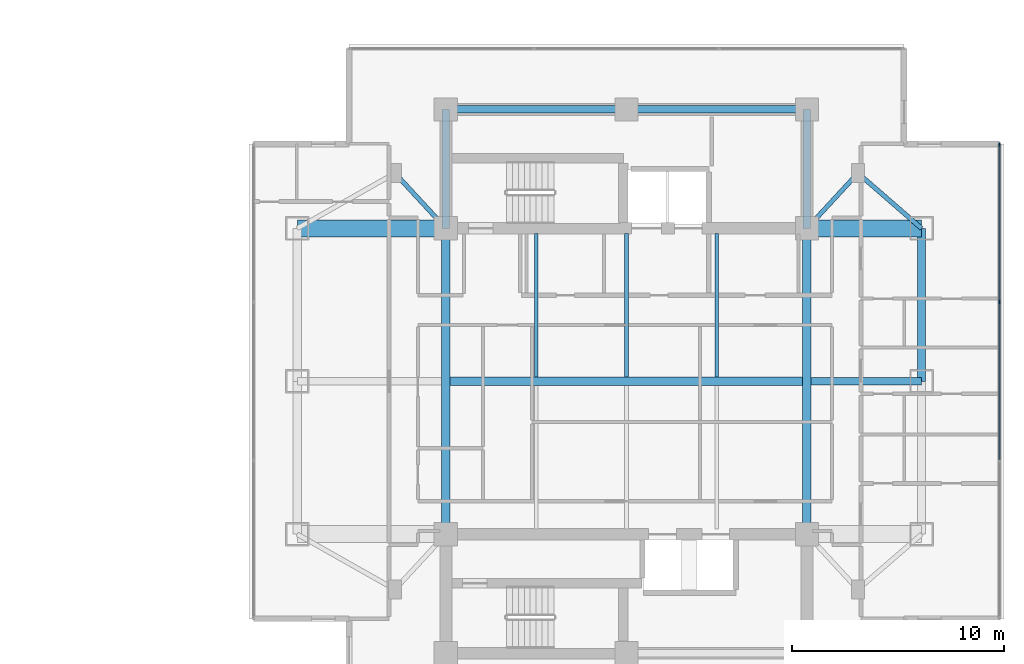
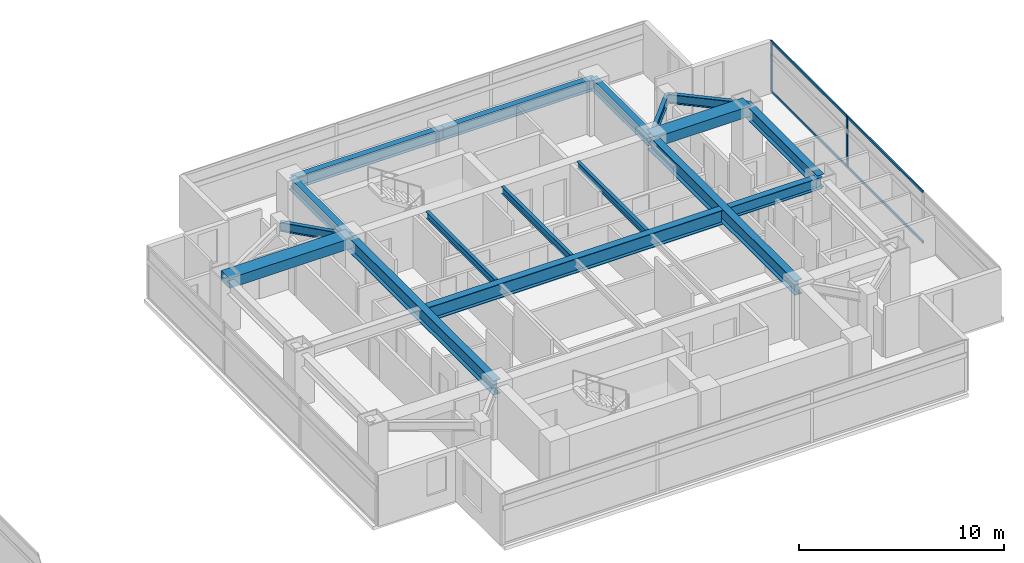
# One storey, part 11 of 26: 17 beams, 6 members, 1 element without a shape of its own.
"""IFC4 building model written with IfcOpenShell, lengths in metres."""

from ifc_helpers import new_model, si_unit, direction, frame, origin, origin_2d, place, context, subcontext, project, spatial, rectangle, i_section, extrude, material, material_profile, profile_set, type_object, element, aggregate, save


model = new_model("IFC4")

# Units and contexts
model_context = context("Model", 3, precision=1e-05, world=origin(), true_north=direction((0.0, 1.0)))
body_context = subcontext(model_context, "Body", "Model", "MODEL_VIEW")
ifc_project = project(units=[si_unit("LENGTHUNIT", "METRE"), si_unit("AREAUNIT", "SQUARE_METRE"), si_unit("VOLUMEUNIT", "CUBIC_METRE"), si_unit("PLANEANGLEUNIT", "RADIAN"), si_unit("MASSUNIT", "GRAM", prefix="KILO")], contexts=[model_context])

# Site, building, storey
site_placement = place(None, origin())
site = spatial("IfcSite", under=ifc_project, at=site_placement, CompositionType="ELEMENT")
building_placement = place(site_placement, origin())
building = spatial("IfcBuilding", under=site, at=building_placement, Name="Mirazonda Arch Towers", CompositionType="ELEMENT")
storey_placement = place(building_placement, frame((0.0, 0.0, 128.0)))
storey = spatial("IfcBuildingStorey", under=building, at=storey_placement, Name="L36", CompositionType="ELEMENT", Elevation=128.0)

# Beams
ifc_material_1 = material(Name="Steel ASTM A992 Grade 50", Category="steel")
ifc_material_profile_1 = material_profile(ifc_material_1, i_section(OverallWidth=0.381103515625, OverallDepth=0.77294921875, WebThickness=0.0166015625, FlangeThickness=0.027099609375, at=origin_2d()), Name="W30X173")
ifc_profile_set_1 = profile_set([ifc_material_profile_1], Name="Steel ASTM A992 Grade 50")
beam_type_1 = type_object("IfcBeamType", Name="BM-EXT-W30X173", PredefinedType="USERDEFINED", material=ifc_profile_set_1)
beam_1_placement = place(storey_placement, frame((90.39990234375, 28.0, 2.693603515625), z_axis=(0.0, 1.0, 0.0), x_axis=(-1.0, 0.0, 0.0)))
element("IfcBeam", 1, at=beam_1_placement, inside=storey, type_object=beam_type_1, Name="L36 Floor Beam BM-T2-L36-NS-E-28", ObjectType="GIRDER", PredefinedType="USERDEFINED", context=body_context, shape_type="SweptSolid", body=[
    extrude(i_section(OverallWidth=0.381103515625, OverallDepth=0.77294921875, WebThickness=0.0166015625, FlangeThickness=0.027099609375, at=origin_2d()), origin(), (0.0, 0.0, 1.0), 7.199951171875),
])
ifc_material_profile_2 = material_profile(ifc_material_1, i_section(OverallWidth=0.180908203125, OverallDepth=0.4169921875, WebThickness=0.010986328125, FlangeThickness=0.018310546875, at=origin_2d()), Name="W16X57")
ifc_profile_set_2 = profile_set([ifc_material_profile_2], Name="Steel ASTM A992 Grade 50")
beam_type_2 = type_object("IfcBeamType", Name="BM-INT-W16X57", PredefinedType="JOIST", material=ifc_profile_set_2)
for number, where, z_axis, x_axis, name in (
    (2, (72.25, 28.196044921875, 2.87158203125), (0.0, 1.0, 0.0), (-1.0, 0.0, 0.0), "L36 Floor Beam BM-T2-L36-J-722-28"),
    (3, (76.5, 28.196044921875, 2.87158203125), (0.0, 1.0, 0.0), (-1.0, 0.0, 0.0), "L36 Floor Beam BM-T2-L36-J-765-28"),
    (4, (80.75, 28.196044921875, 2.87158203125), (0.0, 1.0, 0.0), (-1.0, 0.0, 0.0), "L36 Floor Beam BM-T2-L36-J-807-28"),
):
    element("IfcBeam", number, at=place(storey_placement, frame(where, z_axis=z_axis, x_axis=x_axis)), inside=storey, type_object=beam_type_2, Name=name, PredefinedType="JOIST", context=body_context, shape_type="SweptSolid", body=[
        extrude(i_section(OverallWidth=0.180908203125, OverallDepth=0.4169921875, WebThickness=0.010986328125, FlangeThickness=0.018310546875, at=origin_2d()), origin(), (0.0, 0.0, 1.0), 6.763916015625),
    ])
ifc_material_profile_3 = material_profile(ifc_material_1, i_section(OverallWidth=0.214111328125, OverallDepth=0.549072265625, WebThickness=0.0146484375, FlangeThickness=0.023681640625, at=origin_2d()), Name="W21X93")
ifc_profile_set_3 = profile_set([ifc_material_profile_3], Name="Steel ASTM A992 Grade 50")
beam_type_3 = type_object("IfcBeamType", Name="BM-INT-W21X93", PredefinedType="BEAM", material=ifc_profile_set_3)
for number, where, z_axis, x_axis, name in (
    (5, (65.60009765625, 37.800048828125, 2.805419921875), (0.678251444854, -0.734829897019, 0.0), (0.734829897019, 0.678251444854, 0.0), "L36 Floor Beam BM-T2-L36-PL-NW1"),
    (6, (87.39990234375, 37.800048828125, 2.805419921875), (-0.678251444854, -0.734829897019, 0.0), (0.734829897019, -0.678251444854, 0.0), "L36 Floor Beam BM-T2-L36-PL-NE1"),
):
    element("IfcBeam", number, at=place(storey_placement, frame(where, z_axis=z_axis, x_axis=x_axis)), inside=storey, type_object=beam_type_3, Name=name, PredefinedType="BEAM", context=body_context, shape_type="SweptSolid", body=[
        extrude(i_section(OverallWidth=0.214111328125, OverallDepth=0.549072265625, WebThickness=0.0146484375, FlangeThickness=0.023681640625, at=origin_2d()), origin(), (0.0, 0.0, 1.0), 3.538330078125),
    ])
beam_2_placement = place(storey_placement, frame((87.39990234375, 37.800048828125, 2.805419921875), z_axis=(0.755676908098, -0.654944585876, 0.0), x_axis=(0.654944585876, 0.755676908098, 0.0)))
element("IfcBeam", 7, at=beam_2_placement, inside=storey, type_object=beam_type_3, Name="L36 Floor Beam BM-T2-L36-PL-NE2", PredefinedType="BEAM", context=body_context, shape_type="SweptSolid", body=[
    extrude(i_section(OverallWidth=0.214111328125, OverallDepth=0.549072265625, WebThickness=0.0146484375, FlangeThickness=0.023681640625, at=origin_2d()), origin(), (0.0, 0.0, 1.0), 3.969970703125),
])
ifc_material_profile_4 = material_profile(ifc_material_1, i_section(OverallWidth=0.35498046875, OverallDepth=0.696044921875, WebThickness=0.015380859375, FlangeThickness=0.02490234375, at=origin_2d()), Name="W27X146")
ifc_profile_set_4 = profile_set([ifc_material_profile_4], Name="Steel ASTM A992 Grade 50")
beam_type_4 = type_object("IfcBeamType", Name="BM-INT-W27X146", PredefinedType="BEAM", material=ifc_profile_set_4)
for number, where, z_axis, x_axis, name in (
    (8, (68.0, 40.800048828125, 2.73193359375), (1.0, 0.0, 0.0), (0.0, 1.0, 0.0), "L36 Floor Beam BM-T2-L36-CN1"),
    (9, (76.5, 40.800048828125, 2.73193359375), (1.0, 0.0, 0.0), (0.0, 1.0, 0.0), "L36 Floor Beam BM-T2-L36-CN2"),
):
    element("IfcBeam", number, at=place(storey_placement, frame(where, z_axis=z_axis, x_axis=x_axis)), inside=storey, type_object=beam_type_4, Name=name, PredefinedType="BEAM", context=body_context, shape_type="SweptSolid", body=[
        extrude(i_section(OverallWidth=0.35498046875, OverallDepth=0.696044921875, WebThickness=0.015380859375, FlangeThickness=0.02490234375, at=origin_2d()), origin(), (0.0, 0.0, 1.0), 8.5),
    ])
for number, where, z_axis, x_axis, name in (
    (10, (68.0, 35.199951171875, 2.73193359375), (0.0, 1.0, 0.0), (-1.0, 0.0, 0.0), "L36 Floor Beam BM-T2-L36-CNW"),
    (11, (85.0, 35.199951171875, 2.73193359375), (0.0, 1.0, 0.0), (-1.0, 0.0, 0.0), "L36 Floor Beam BM-T2-L36-CNE"),
):
    element("IfcBeam", number, at=place(storey_placement, frame(where, z_axis=z_axis, x_axis=x_axis)), inside=storey, type_object=beam_type_4, Name=name, PredefinedType="BEAM", context=body_context, shape_type="SweptSolid", body=[
        extrude(i_section(OverallWidth=0.35498046875, OverallDepth=0.696044921875, WebThickness=0.015380859375, FlangeThickness=0.02490234375, at=origin_2d()), origin(), (0.0, 0.0, 1.0), 5.60009765625),
    ])
beam_3_placement = place(storey_placement, frame((85.199951171875, 28.0, 2.73193359375), z_axis=(1.0, 0.0, 0.0), x_axis=(0.0, 1.0, 0.0)))
element("IfcBeam", 12, at=beam_3_placement, inside=storey, type_object=beam_type_4, Name="L36 Floor Beam BM-T2-L36-GE2", PredefinedType="BEAM", context=body_context, shape_type="SweptSolid", body=[
    extrude(i_section(OverallWidth=0.35498046875, OverallDepth=0.696044921875, WebThickness=0.015380859375, FlangeThickness=0.02490234375, at=origin_2d()), origin(), (0.0, 0.0, 1.0), 5.199951171875),
])
ifc_material_profile_5 = material_profile(ifc_material_1, i_section(OverallWidth=0.39990234375, OverallDepth=0.85595703125, WebThickness=0.018310546875, FlangeThickness=0.029296875, at=origin_2d()), Name="W33X201")
ifc_profile_set_5 = profile_set([ifc_material_profile_5], Name="Steel ASTM A992 Grade 50")
beam_type_5 = type_object("IfcBeamType", Name="BM-INT-W33X201", PredefinedType="USERDEFINED", material=ifc_profile_set_5)
beam_4_placement = place(storey_placement, frame((68.199951171875, 28.0, 2.652099609375), z_axis=(1.0, 0.0, 0.0), x_axis=(0.0, 1.0, 0.0)))
element("IfcBeam", 13, at=beam_4_placement, inside=storey, type_object=beam_type_5, Name="L36 Floor Beam BM-T2-L36-GC2", ObjectType="GIRDER", PredefinedType="USERDEFINED", context=body_context, shape_type="SweptSolid", body=[
    extrude(i_section(OverallWidth=0.39990234375, OverallDepth=0.85595703125, WebThickness=0.018310546875, FlangeThickness=0.029296875, at=origin_2d()), origin(), (0.0, 0.0, 1.0), 16.60009765625),
])
for number, where, z_axis, x_axis, name in (
    (14, (68.0, 20.800048828125, 2.652099609375), (0.0, 1.0, 0.0), (-1.0, 0.0, 0.0), "L36 Floor Beam BM-T2-L36-NS-CW-FULL"),
    (15, (85.0, 20.800048828125, 2.652099609375), (0.0, 1.0, 0.0), (-1.0, 0.0, 0.0), "L36 Floor Beam BM-T2-L36-NS-CE-FULL"),
):
    element("IfcBeam", number, at=place(storey_placement, frame(where, z_axis=z_axis, x_axis=x_axis)), inside=storey, type_object=beam_type_5, Name=name, ObjectType="GIRDER", PredefinedType="USERDEFINED", context=body_context, shape_type="SweptSolid", body=[
        extrude(i_section(OverallWidth=0.39990234375, OverallDepth=0.85595703125, WebThickness=0.018310546875, FlangeThickness=0.029296875, at=origin_2d()), origin(), (0.0, 0.0, 1.0), 14.39990234375),
    ])
ifc_material_2 = material(Name="Concrete C60/75", Category="concrete")
ifc_material_profile_6 = material_profile(ifc_material_2, rectangle(XDim=0.800048828125, YDim=0.60009765625, at=origin_2d()), Name="RCCB800x600")
ifc_profile_set_6 = profile_set([ifc_material_profile_6], Name="Concrete C60/75")
beam_type_6 = type_object("IfcBeamType", Name="CB-INT-RCCB800x600", PredefinedType="SPANDREL", material=ifc_profile_set_6)
beam_5_placement = place(storey_placement, frame((61.0, 35.199951171875, 2.780029296875), z_axis=(1.0, 0.0, 0.0), x_axis=(0.0, 1.0, 0.0)))
element("IfcBeam", 16, at=beam_5_placement, inside=storey, type_object=beam_type_6, Name="L36 Floor Beam CBC-T2-L36-NW", PredefinedType="SPANDREL", context=body_context, shape_type="SweptSolid", body=[
    extrude(rectangle(XDim=0.800048828125, YDim=0.60009765625, at=origin_2d()), origin(), (0.0, 0.0, 1.0), 7.0),
])
beam_6_placement = place(storey_placement, frame((85.0, 35.199951171875, 2.780029296875), z_axis=(1.0, 0.0, 0.0), x_axis=(0.0, 1.0, 0.0)))
element("IfcBeam", 17, at=beam_6_placement, inside=storey, type_object=beam_type_6, Name="L36 Floor Beam CBC-T2-L36-NE", PredefinedType="SPANDREL", context=body_context, shape_type="SweptSolid", body=[
    extrude(rectangle(XDim=0.800048828125, YDim=0.60009765625, at=origin_2d()), origin(), (0.0, 0.0, 1.0), 5.39990234375),
])

# Curtain wall, members
ifc_material_3 = material(Name="Anodised Aluminium and Low-E Glass", Category="aluminium")
curtain_wall_type = type_object("IfcCurtainWallType", Name="CW-HTL-UNIT", PredefinedType="NOTDEFINED", material=ifc_material_3)
curtain_wall_placement = place(storey_placement, origin())
curtain_wall = element("IfcCurtainWall", 18, at=curtain_wall_placement, inside=storey, type_object=curtain_wall_type, Name="L36 T2 E Facade CW-L36-T2-E", PredefinedType="NOTDEFINED")
ifc_material_4 = material(Name="Anodised Aluminium Alloy", Category="aluminium")
ifc_material_profile_7 = material_profile(ifc_material_4, rectangle(XDim=0.074951171875, YDim=0.1650390625, at=origin_2d()), Name="ALU-MULL-75x165")
ifc_profile_set_7 = profile_set([ifc_material_profile_7], Name="Anodised Aluminium Alloy")
member_type_1 = type_object("IfcMemberType", Name="MULL-CW-HTL-UNIT", PredefinedType="MULLION", material=ifc_profile_set_7)
member_1_placement = place(storey_placement, frame((94.05908203125, 31.7275390625, 0.0), z_axis=(0.0, 0.0, 1.0), x_axis=(-1.0, 0.0, 0.0)))
member_1 = element("IfcMember", 19, at=member_1_placement, type_object=member_type_1, Name="CW-112 mullion 3", PredefinedType="MULLION", context=body_context, shape_type="SweptSolid", body=[
    extrude(rectangle(XDim=0.074951171875, YDim=0.1650390625, at=origin_2d()), origin(), (0.0, 0.0, 1.0), 3.06005859375),
])
member_2_placement = place(storey_placement, frame((94.05908203125, 39.14501953125, 0.0), z_axis=(0.0, 0.0, 1.0), x_axis=(-1.0, 0.0, 0.0)))
member_2 = element("IfcMember", 20, at=member_2_placement, type_object=member_type_1, Name="CW-112 mullion 4", PredefinedType="MULLION", context=body_context, shape_type="SweptSolid", body=[
    extrude(rectangle(XDim=0.074951171875, YDim=0.1650390625, at=origin_2d()), origin(), (0.0, 0.0, 1.0), 3.06005859375),
])
ifc_material_profile_8 = material_profile(ifc_material_4, rectangle(XDim=0.074951171875, YDim=0.14501953125, at=origin_2d()), Name="ALU-TRAN-75x145")
ifc_profile_set_8 = profile_set([ifc_material_profile_8], Name="Anodised Aluminium Alloy")
member_type_2 = type_object("IfcMemberType", Name="TRAN-CW-HTL-UNIT", PredefinedType="USERDEFINED", material=ifc_profile_set_8)
member_3_placement = place(storey_placement, frame((94.05908203125, 24.31005859375, 0.03759765625), z_axis=(0.0, 1.0, 0.0), x_axis=(-1.0, 0.0, 0.0)))
member_3 = element("IfcMember", 21, at=member_3_placement, type_object=member_type_2, Name="CW-112 transom 2.1", ObjectType="TRANSOM", PredefinedType="USERDEFINED", context=body_context, shape_type="SweptSolid", body=[
    extrude(rectangle(XDim=0.074951171875, YDim=0.14501953125, at=origin_2d()), origin(), (0.0, 0.0, 1.0), 7.3798828125),
])
member_4_placement = place(storey_placement, frame((94.05908203125, 24.31005859375, 3.0224609375), z_axis=(0.0, 1.0, 0.0), x_axis=(-1.0, 0.0, 0.0)))
member_4 = element("IfcMember", 22, at=member_4_placement, type_object=member_type_2, Name="CW-112 transom 2.2", ObjectType="TRANSOM", PredefinedType="USERDEFINED", context=body_context, shape_type="SweptSolid", body=[
    extrude(rectangle(XDim=0.074951171875, YDim=0.14501953125, at=origin_2d()), origin(), (0.0, 0.0, 1.0), 7.3798828125),
])
member_5_placement = place(storey_placement, frame((94.05908203125, 31.764892578125, 0.03759765625), z_axis=(0.0, 1.0, 0.0), x_axis=(-1.0, 0.0, 0.0)))
member_5 = element("IfcMember", 23, at=member_5_placement, type_object=member_type_2, Name="CW-112 transom 3.1", ObjectType="TRANSOM", PredefinedType="USERDEFINED", context=body_context, shape_type="SweptSolid", body=[
    extrude(rectangle(XDim=0.074951171875, YDim=0.14501953125, at=origin_2d()), origin(), (0.0, 0.0, 1.0), 7.342529296875),
])
member_6_placement = place(storey_placement, frame((94.05908203125, 31.764892578125, 3.0224609375), z_axis=(0.0, 1.0, 0.0), x_axis=(-1.0, 0.0, 0.0)))
member_6 = element("IfcMember", 24, at=member_6_placement, type_object=member_type_2, Name="CW-112 transom 3.2", ObjectType="TRANSOM", PredefinedType="USERDEFINED", context=body_context, shape_type="SweptSolid", body=[
    extrude(rectangle(XDim=0.074951171875, YDim=0.14501953125, at=origin_2d()), origin(), (0.0, 0.0, 1.0), 7.342529296875),
])
aggregate(curtain_wall, [member_1, member_2, member_3, member_4, member_5, member_6])

save(model, "model.ifc")
